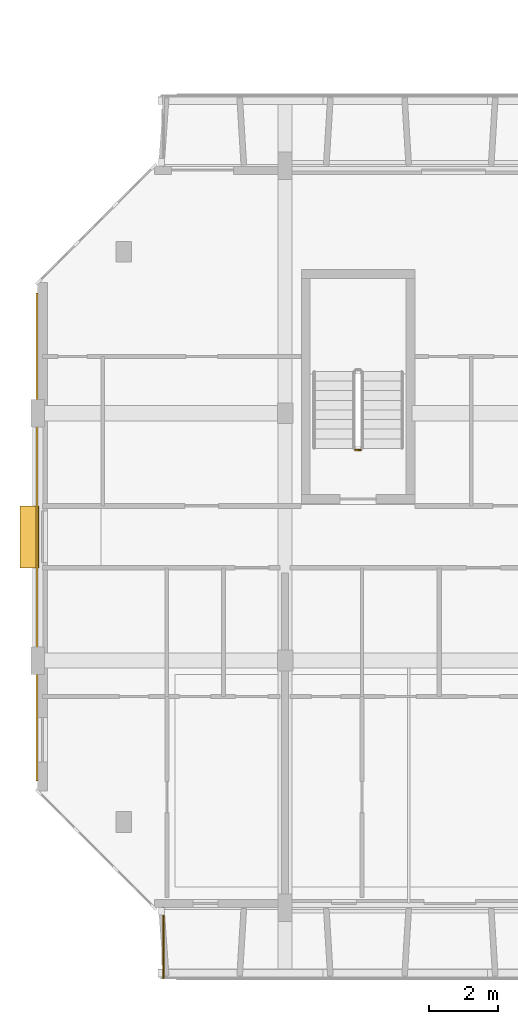
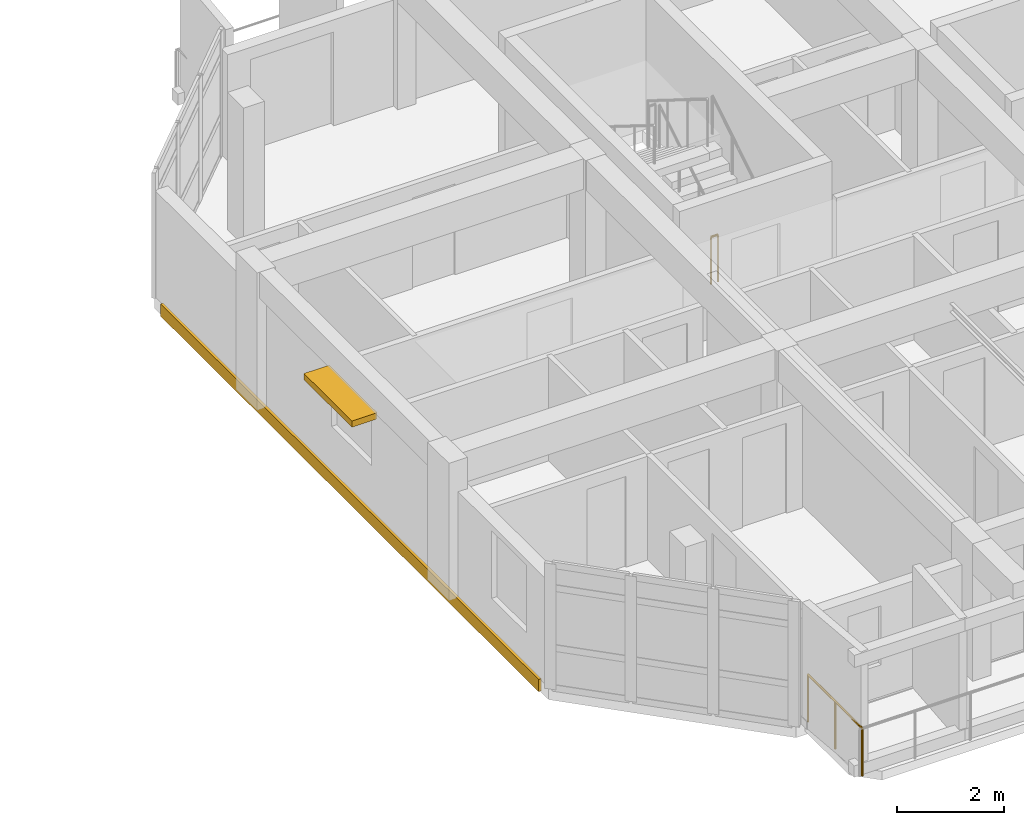
# One storey, part 36 of 46: 2 railings, 1 covering, 1 shading device.
"""IFC4 building model written with IfcOpenShell, lengths in metres."""

from ifc_helpers import new_model, si_unit, direction, frame, origin, origin_2d, place, context, subcontext, project, spatial, rectangle, circle, extrude, material, layer, layer_set, type_object, element, save


model = new_model("IFC4")

# Units and contexts
model_context = context("Model", 3, precision=1e-05, world=origin(), true_north=direction((0.0, 1.0)))
body_context = subcontext(model_context, "Body", "Model", "MODEL_VIEW")
ifc_project = project(units=[si_unit("LENGTHUNIT", "METRE"), si_unit("AREAUNIT", "SQUARE_METRE"), si_unit("VOLUMEUNIT", "CUBIC_METRE"), si_unit("PLANEANGLEUNIT", "RADIAN"), si_unit("MASSUNIT", "GRAM", prefix="KILO")], contexts=[model_context])

# Site, building, storey
site_placement = place(None, origin())
site = spatial("IfcSite", under=ifc_project, at=site_placement, CompositionType="ELEMENT")
building_placement = place(site_placement, origin())
building = spatial("IfcBuilding", under=site, at=building_placement, Name="Ochrevale Crest", CompositionType="ELEMENT")
storey_placement = place(building_placement, frame((0.0, 0.0, 24.449951171875)))
storey = spatial("IfcBuildingStorey", under=building, at=storey_placement, Name="L07", CompositionType="ELEMENT", Elevation=24.449951171875)

# Covering
ifc_material_1 = material(Name="Glazed terracotta rainscreen tile", Category="masonry")
ifc_layer = layer(ifc_material_1, 0.048095703125)
ifc_layer_set = layer_set([ifc_layer], Name="Glazed terracotta rainscreen tile")
covering_type = type_object("IfcCoveringType", Name="COV-CLAD-TER", PredefinedType="CLADDING", material=ifc_layer_set)
covering_placement = place(storey_placement, frame((-0.014404296875, 25.199951171875, -0.259765625), z_axis=(0.0, 0.0, 1.0), x_axis=(0.0, -1.0, 0.0)))
element("IfcCovering", 1, at=covering_placement, inside=storey, type_object=covering_type, Name="Block A L07 terracotta slab-edge spandrel cladding", PredefinedType="CLADDING", context=body_context, shape_type="SweptSolid", body=[
    extrude(rectangle(XDim=14.199951171875, YDim=0.06005859375, at=origin_2d()), origin(), (0.0, 0.0, 1.0), 0.280029296875),
])

# Railings
ifc_material_2 = material(Name="Galvanised steel", Category="steel")
railing_type_1 = type_object("IfcRailingType", Name="RL-BAL-1100", PredefinedType="BALUSTRADE", material=ifc_material_2)
railing_1_placement = place(storey_placement, frame((3.659912109375, 14.39990234375, 0.0)))
element("IfcRailing", 2, at=railing_1_placement, inside=storey, type_object=railing_type_1, Name="Block A L07 S-W balcony side guard", PredefinedType="BALUSTRADE", context=body_context, shape_type="SweptSolid", body=[
    extrude(circle(Radius=0.02392578125, at=origin_2d()), frame((0.0, 0.0, 1.0859375), z_axis=(0.0, -1.0, 0.0), x_axis=(1.0, 0.0, 0.0)), (0.0, 0.0, 1.0), 2.039794921875),
    extrude(circle(Radius=0.02099609375, at=origin_2d()), origin(), (0.0, 0.0, 1.0), 1.06201171875),
    extrude(circle(Radius=0.02099609375, at=origin_2d()), frame((0.0, -1.02001953125, 0.0)), (0.0, 0.0, 1.0), 1.06201171875),
    extrude(circle(Radius=0.02099609375, at=origin_2d()), frame((0.0, -2.039794921875, 0.0)), (0.0, 0.0, 1.0), 1.06201171875),
])
railing_type_2 = type_object("IfcRailingType", Name="RL-ST-GUARD", PredefinedType="BALUSTRADE", material=ifc_material_2)
railing_2_placement = place(storey_placement, frame((9.39990234375, 27.72509765625, 0.0)))
element("IfcRailing", 3, at=railing_2_placement, inside=storey, type_object=railing_type_2, Name="L07 ST-A1 stair guard 4", PredefinedType="BALUSTRADE", context=body_context, shape_type="SweptSolid", body=[
    extrude(circle(Radius=0.02392578125, at=origin_2d()), frame((0.0, 0.0, 1.076171875), z_axis=(-1.0, 0.0, 0.0), x_axis=(0.0, -1.0, 0.0)), (0.0, 0.0, 1.0), 0.14990234375),
    extrude(circle(Radius=0.02099609375, at=origin_2d()), origin(), (0.0, 0.0, 1.0), 1.052001953125),
    extrude(circle(Radius=0.02099609375, at=origin_2d()), frame((-0.14990234375, 0.0, 0.0)), (0.0, 0.0, 1.0), 1.052001953125),
])

# Shading device
ifc_material_3 = material(Name="Anodised aluminium 6063-T5", Category="aluminium")
shading_device_type = type_object("IfcShadingDeviceType", Name="SHD-SUNSHADE-OC", PredefinedType="USERDEFINED", material=ifc_material_3)
shading_device_placement = place(storey_placement, frame((-0.239990234375, 25.199951171875, 2.2099609375), z_axis=(0.0, 0.0, 1.0), x_axis=(1.0, 0.0, 0.0)))
element("IfcShadingDevice", 4, at=shading_device_placement, inside=storey, type_object=shading_device_type, Name="Block A L07 gable window sunshade W", ObjectType="HORIZONTAL SUNSHADE", PredefinedType="USERDEFINED", context=body_context, shape_type="SweptSolid", body=[
    extrude(rectangle(XDim=0.550048828125, YDim=1.800048828125, at=origin_2d()), origin(), (0.0, 0.0, 1.0), 0.139892578125),
])

save(model, "model.ifc")
